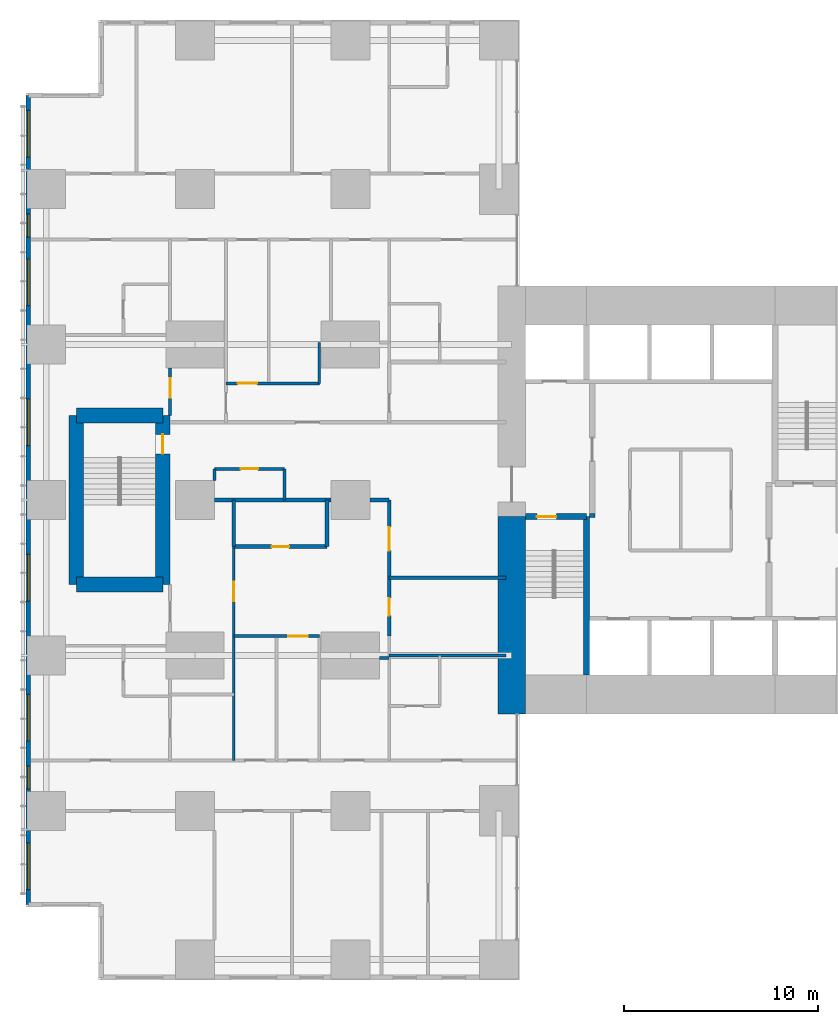
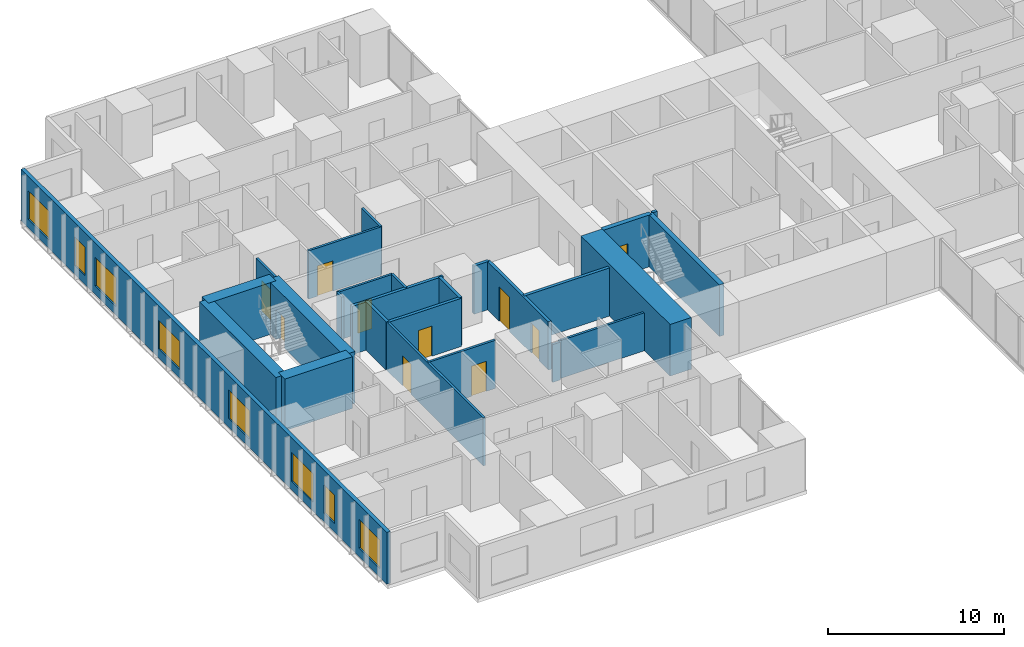
# One storey, part 13 of 20: 26 walls, 10 doors, 8 windows, 18 openings.
"""IFC4 building model written with IfcOpenShell, lengths in metres."""

from ifc_helpers import new_model, si_unit, direction, frame, frame_2d, origin, place, context, subcontext, project, spatial, rectangle, extrude, material, layer, layer_set, type_object, element, fill, save


model = new_model("IFC4")

# Units and contexts
model_context = context("Model", 3, precision=1e-05, world=origin(), true_north=direction((0.0, 1.0)))
body_context = subcontext(model_context, "Body", "Model", "MODEL_VIEW")
ifc_project = project(units=[si_unit("LENGTHUNIT", "METRE"), si_unit("AREAUNIT", "SQUARE_METRE"), si_unit("VOLUMEUNIT", "CUBIC_METRE"), si_unit("PLANEANGLEUNIT", "RADIAN"), si_unit("MASSUNIT", "GRAM", prefix="KILO")], contexts=[model_context])

# Site, building, storey
site_placement = place(None, origin())
site = spatial("IfcSite", under=ifc_project, at=site_placement, CompositionType="ELEMENT")
building_placement = place(site_placement, origin())
building = spatial("IfcBuilding", under=site, at=building_placement, Name="Cleftline Residences", CompositionType="ELEMENT")
storey_placement = place(building_placement, frame((0.0, 0.0, 36.800048828125)))
storey = spatial("IfcBuildingStorey", under=building, at=storey_placement, Name="L08", CompositionType="ELEMENT", Elevation=36.800048828125)

# Walls
ifc_material_1 = material(Name="Concrete B70", Category="concrete")
ifc_layer_1 = layer(ifc_material_1, 1.39990234375)
ifc_layer_set_1 = layer_set([ifc_layer_1], Name="CORE WALL 1400")
wall_type_1 = type_object("IfcWallType", Name="CORE WALL 1400", PredefinedType="SHEAR", material=ifc_layer_set_1)
wall_1_placement = place(storey_placement, frame((24.300048828125, 13.0, 0.0), z_axis=(0.0, 0.0, 1.0), x_axis=(0.0, 1.0, 0.0)))
element("IfcWall", 1, at=wall_1_placement, inside=storey, type_object=wall_type_1, Name="Core wall W0", PredefinedType="SHEAR", context=body_context, shape_type="SweptSolid", body=[
    extrude(rectangle(XDim=10.14990234375, YDim=1.39990234375, at=frame_2d((5.074951171875, 0.0))), origin(), (0.0, 0.0, 1.0), 3.599853515625),
])
ifc_material_2 = material(Name="Concrete B70", Category="concrete")
ifc_layer_2 = layer(ifc_material_2, 0.300048828125)
ifc_layer_set_2 = layer_set([ifc_layer_2], Name="CORE WALL 300")
wall_type_2 = type_object("IfcWallType", Name="CORE WALL 300", PredefinedType="SHEAR", material=ifc_layer_set_2)
wall_2_placement = place(storey_placement, frame((28.14990234375, 15.0, 0.0), z_axis=(0.0, 0.0, 1.0), x_axis=(0.0, 1.0, 0.0)))
element("IfcWall", 2, at=wall_2_placement, inside=storey, type_object=wall_type_2, Name="Core wall SA-E", PredefinedType="SHEAR", context=body_context, shape_type="SweptSolid", body=[
    extrude(rectangle(XDim=8.14990234375, YDim=0.300048828125, at=frame_2d((4.074951171875, 0.0))), origin(), (0.0, 0.0, 1.0), 3.599853515625),
])

# Wall, opening, door
wall_3_placement = place(storey_placement, frame((25.0, 23.14990234375, 0.0), z_axis=(0.0, 0.0, 1.0), x_axis=(1.0, 0.0, 0.0)))
wall_3 = element("IfcWall", 3, at=wall_3_placement, inside=storey, type_object=wall_type_2, Name="Core wall SA-N", PredefinedType="SHEAR", context=body_context, shape_type="SweptSolid", body=[
    extrude(rectangle(XDim=3.14990234375, YDim=0.300048828125, at=frame_2d((1.574951171875, 0.0))), origin(), (0.0, 0.0, 1.0), 3.599853515625),
])
opening_1_placement = place(wall_3_placement, frame((0.60009765625, 0.0, 0.0)))
opening_1 = element("IfcOpeningElement", 4, at=opening_1_placement, cuts=wall_3, Name="Opening D5", PredefinedType="OPENING", context=body_context, shape_type="SweptSolid", body=[
    extrude(rectangle(XDim=1.0, YDim=2.10009765625, at=frame_2d((0.5, 1.050048828125))), frame((0.0, 0.159912109375, 0.0), z_axis=(0.0, -1.0, 0.0), x_axis=(1.0, 0.0, 0.0)), (0.0, 0.0, 1.0), 0.320068359375),
])
ifc_material_3 = material(Name="Steel", Category="steel")
door_type_1 = type_object("IfcDoorType", Name="STAIR DOOR 1000X2100", OperationType="SINGLE_SWING_LEFT", PredefinedType="DOOR", material=ifc_material_3)
door_1_placement = place(opening_1_placement, origin())
door_1 = element("IfcDoor", 5, at=door_1_placement, inside=storey, type_object=door_type_1, Name="Stair A door", OperationType="SINGLE_SWING_RIGHT", OverallHeight=2.10009765625, OverallWidth=1.0, PredefinedType="DOOR", context=body_context, shape_type="SweptSolid", body=[
    extrude(rectangle(XDim=1.0, YDim=2.10009765625, at=frame_2d((0.5, 1.050048828125))), frame((0.0, 0.02490234375, 0.0), z_axis=(0.0, -1.0, 0.0), x_axis=(1.0, 0.0, 0.0)), (0.0, 0.0, 1.0), 0.050048828125),
])
fill(opening_1, door_1)

# Wall, openings, windows
ifc_material_4 = material(Name="Rendered reinforced concrete blockwork", Category="masonry")
ifc_layer_3 = layer(ifc_material_4, 0.25)
ifc_layer_set_3 = layer_set([ifc_layer_3], Name="EXTERNAL WALL 250")
wall_type_3 = type_object("IfcWallType", Name="EXTERNAL WALL 250", PredefinedType="SOLIDWALL", material=ifc_layer_set_3)
wall_4_placement = place(storey_placement, frame((-0.574951171875, 44.824951171875, 0.0), z_axis=(0.0, 0.0, 1.0), x_axis=(0.0, -1.0, 0.0)))
wall_4 = element("IfcWall", 6, at=wall_4_placement, inside=storey, type_object=wall_type_3, Name="External wall", PredefinedType="SOLIDWALL", context=body_context, shape_type="SweptSolid", body=[
    extrude(rectangle(XDim=41.64990234375, YDim=0.25, at=frame_2d((20.824951171875, 0.0))), origin(), (0.0, 0.0, 1.0), 3.599853515625),
])
opening_2_placement = place(wall_4_placement, frame((0.77490234375, 0.0, 0.60009765625)))
opening_2 = element("IfcOpeningElement", 7, at=opening_2_placement, cuts=wall_4, Name="Opening W6", PredefinedType="OPENING", context=body_context, shape_type="SweptSolid", body=[
    extrude(rectangle(XDim=2.39990234375, YDim=2.0, at=frame_2d((1.199951171875, 1.0))), frame((0.0, 0.135009765625, 0.0), z_axis=(0.0, -1.0, 0.0), x_axis=(1.0, 0.0, 0.0)), (0.0, 0.0, 1.0), 0.27001953125),
])
opening_3_placement = place(wall_4_placement, frame((6.10009765625, 0.0, 0.60009765625)))
opening_3 = element("IfcOpeningElement", 8, at=opening_3_placement, cuts=wall_4, Name="Opening W8", PredefinedType="OPENING", context=body_context, shape_type="SweptSolid", body=[
    extrude(rectangle(XDim=1.199951171875, YDim=2.0, at=frame_2d((0.60009765625, 1.0))), frame((0.0, 0.135009765625, 0.0), z_axis=(0.0, -1.0, 0.0), x_axis=(1.0, 0.0, 0.0)), (0.0, 0.0, 1.0), 0.27001953125),
])
opening_4_placement = place(wall_4_placement, frame((8.425048828125, 0.0, 0.60009765625)))
opening_4 = element("IfcOpeningElement", 9, at=opening_4_placement, cuts=wall_4, Name="Opening W6", PredefinedType="OPENING", context=body_context, shape_type="SweptSolid", body=[
    extrude(rectangle(XDim=2.39990234375, YDim=2.0, at=frame_2d((1.199951171875, 1.0))), frame((0.0, 0.135009765625, 0.0), z_axis=(0.0, -1.0, 0.0), x_axis=(1.0, 0.0, 0.0)), (0.0, 0.0, 1.0), 0.27001953125),
])
opening_5_placement = place(wall_4_placement, frame((15.625, 0.0, 0.60009765625)))
opening_5 = element("IfcOpeningElement", 10, at=opening_5_placement, cuts=wall_4, Name="Opening W6", PredefinedType="OPENING", context=body_context, shape_type="SweptSolid", body=[
    extrude(rectangle(XDim=2.39990234375, YDim=2.0, at=frame_2d((1.199951171875, 1.0))), frame((0.0, 0.135009765625, 0.0), z_axis=(0.0, -1.0, 0.0), x_axis=(1.0, 0.0, 0.0)), (0.0, 0.0, 1.0), 0.27001953125),
])
opening_6_placement = place(wall_4_placement, frame((23.625, 0.0, 0.60009765625)))
opening_6 = element("IfcOpeningElement", 11, at=opening_6_placement, cuts=wall_4, Name="Opening W6", PredefinedType="OPENING", context=body_context, shape_type="SweptSolid", body=[
    extrude(rectangle(XDim=2.39990234375, YDim=2.0, at=frame_2d((1.199951171875, 1.0))), frame((0.0, 0.135009765625, 0.0), z_axis=(0.0, -1.0, 0.0), x_axis=(1.0, 0.0, 0.0)), (0.0, 0.0, 1.0), 0.27001953125),
])
opening_7_placement = place(wall_4_placement, frame((30.824951171875, 0.0, 0.60009765625)))
opening_7 = element("IfcOpeningElement", 12, at=opening_7_placement, cuts=wall_4, Name="Opening W6", PredefinedType="OPENING", context=body_context, shape_type="SweptSolid", body=[
    extrude(rectangle(XDim=2.39990234375, YDim=2.0, at=frame_2d((1.199951171875, 1.0))), frame((0.0, 0.135009765625, 0.0), z_axis=(0.0, -1.0, 0.0), x_axis=(1.0, 0.0, 0.0)), (0.0, 0.0, 1.0), 0.27001953125),
])
opening_8_placement = place(wall_4_placement, frame((34.5, 0.0, 0.60009765625)))
opening_8 = element("IfcOpeningElement", 13, at=opening_8_placement, cuts=wall_4, Name="Opening W8", PredefinedType="OPENING", context=body_context, shape_type="SweptSolid", body=[
    extrude(rectangle(XDim=1.199951171875, YDim=2.0, at=frame_2d((0.60009765625, 1.0))), frame((0.0, 0.135009765625, 0.0), z_axis=(0.0, -1.0, 0.0), x_axis=(1.0, 0.0, 0.0)), (0.0, 0.0, 1.0), 0.27001953125),
])
opening_9_placement = place(wall_4_placement, frame((38.47509765625, 0.0, 0.60009765625)))
opening_9 = element("IfcOpeningElement", 14, at=opening_9_placement, cuts=wall_4, Name="Opening W6", PredefinedType="OPENING", context=body_context, shape_type="SweptSolid", body=[
    extrude(rectangle(XDim=2.39990234375, YDim=2.0, at=frame_2d((1.199951171875, 1.0))), frame((0.0, 0.135009765625, 0.0), z_axis=(0.0, -1.0, 0.0), x_axis=(1.0, 0.0, 0.0)), (0.0, 0.0, 1.0), 0.27001953125),
])
ifc_material_5 = material(Name="Aluminium frame, clear double glazing", Category="aluminium")
window_type_1 = type_object("IfcWindowType", Name="WINDOW 1200X2000", PartitioningType="DOUBLE_PANEL_VERTICAL", PredefinedType="WINDOW", material=ifc_material_5)
window_1_placement = place(opening_3_placement, origin())
window_1 = element("IfcWindow", 15, at=window_1_placement, inside=storey, type_object=window_type_1, Name="Window", OverallHeight=2.0, OverallWidth=1.199951171875, PartitioningType="SINGLE_PANEL", PredefinedType="WINDOW", context=body_context, shape_type="SweptSolid", body=[
    extrude(rectangle(XDim=1.199951171875, YDim=2.0, at=frame_2d((0.60009765625, 1.0))), frame((0.0, 0.030029296875, 0.0), z_axis=(0.0, -1.0, 0.0), x_axis=(1.0, 0.0, 0.0)), (0.0, 0.0, 1.0), 0.06005859375),
])
fill(opening_3, window_1)
window_2_placement = place(opening_8_placement, origin())
window_2 = element("IfcWindow", 16, at=window_2_placement, inside=storey, type_object=window_type_1, Name="Window", OverallHeight=2.0, OverallWidth=1.199951171875, PartitioningType="SINGLE_PANEL", PredefinedType="WINDOW", context=body_context, shape_type="SweptSolid", body=[
    extrude(rectangle(XDim=1.199951171875, YDim=2.0, at=frame_2d((0.60009765625, 1.0))), frame((0.0, 0.030029296875, 0.0), z_axis=(0.0, -1.0, 0.0), x_axis=(1.0, 0.0, 0.0)), (0.0, 0.0, 1.0), 0.06005859375),
])
fill(opening_8, window_2)
ifc_material_6 = material(Name="Aluminium frame, clear double glazing", Category="aluminium")
window_type_2 = type_object("IfcWindowType", Name="WINDOW 2400X2000", PartitioningType="DOUBLE_PANEL_VERTICAL", PredefinedType="WINDOW", material=ifc_material_6)
window_3_placement = place(opening_2_placement, origin())
window_3 = element("IfcWindow", 17, at=window_3_placement, inside=storey, type_object=window_type_2, Name="Window", OverallHeight=2.0, OverallWidth=2.39990234375, PartitioningType="SINGLE_PANEL", PredefinedType="WINDOW", context=body_context, shape_type="SweptSolid", body=[
    extrude(rectangle(XDim=2.39990234375, YDim=2.0, at=frame_2d((1.199951171875, 1.0))), frame((0.0, 0.030029296875, 0.0), z_axis=(0.0, -1.0, 0.0), x_axis=(1.0, 0.0, 0.0)), (0.0, 0.0, 1.0), 0.06005859375),
])
fill(opening_2, window_3)
window_4_placement = place(opening_4_placement, origin())
window_4 = element("IfcWindow", 18, at=window_4_placement, inside=storey, type_object=window_type_2, Name="Window", OverallHeight=2.0, OverallWidth=2.39990234375, PartitioningType="SINGLE_PANEL", PredefinedType="WINDOW", context=body_context, shape_type="SweptSolid", body=[
    extrude(rectangle(XDim=2.39990234375, YDim=2.0, at=frame_2d((1.199951171875, 1.0))), frame((0.0, 0.030029296875, 0.0), z_axis=(0.0, -1.0, 0.0), x_axis=(1.0, 0.0, 0.0)), (0.0, 0.0, 1.0), 0.06005859375),
])
fill(opening_4, window_4)
window_5_placement = place(opening_5_placement, origin())
window_5 = element("IfcWindow", 19, at=window_5_placement, inside=storey, type_object=window_type_2, Name="Window", OverallHeight=2.0, OverallWidth=2.39990234375, PartitioningType="SINGLE_PANEL", PredefinedType="WINDOW", context=body_context, shape_type="SweptSolid", body=[
    extrude(rectangle(XDim=2.39990234375, YDim=2.0, at=frame_2d((1.199951171875, 1.0))), frame((0.0, 0.030029296875, 0.0), z_axis=(0.0, -1.0, 0.0), x_axis=(1.0, 0.0, 0.0)), (0.0, 0.0, 1.0), 0.06005859375),
])
fill(opening_5, window_5)
window_6_placement = place(opening_6_placement, origin())
window_6 = element("IfcWindow", 20, at=window_6_placement, inside=storey, type_object=window_type_2, Name="Window", OverallHeight=2.0, OverallWidth=2.39990234375, PartitioningType="SINGLE_PANEL", PredefinedType="WINDOW", context=body_context, shape_type="SweptSolid", body=[
    extrude(rectangle(XDim=2.39990234375, YDim=2.0, at=frame_2d((1.199951171875, 1.0))), frame((0.0, 0.030029296875, 0.0), z_axis=(0.0, -1.0, 0.0), x_axis=(1.0, 0.0, 0.0)), (0.0, 0.0, 1.0), 0.06005859375),
])
fill(opening_6, window_6)
window_7_placement = place(opening_7_placement, origin())
window_7 = element("IfcWindow", 21, at=window_7_placement, inside=storey, type_object=window_type_2, Name="Window", OverallHeight=2.0, OverallWidth=2.39990234375, PartitioningType="SINGLE_PANEL", PredefinedType="WINDOW", context=body_context, shape_type="SweptSolid", body=[
    extrude(rectangle(XDim=2.39990234375, YDim=2.0, at=frame_2d((1.199951171875, 1.0))), frame((0.0, 0.030029296875, 0.0), z_axis=(0.0, -1.0, 0.0), x_axis=(1.0, 0.0, 0.0)), (0.0, 0.0, 1.0), 0.06005859375),
])
fill(opening_7, window_7)
window_8_placement = place(opening_9_placement, origin())
window_8 = element("IfcWindow", 22, at=window_8_placement, inside=storey, type_object=window_type_2, Name="Window", OverallHeight=2.0, OverallWidth=2.39990234375, PartitioningType="SINGLE_PANEL", PredefinedType="WINDOW", context=body_context, shape_type="SweptSolid", body=[
    extrude(rectangle(XDim=2.39990234375, YDim=2.0, at=frame_2d((1.199951171875, 1.0))), frame((0.0, 0.030029296875, 0.0), z_axis=(0.0, -1.0, 0.0), x_axis=(1.0, 0.0, 0.0)), (0.0, 0.0, 1.0), 0.06005859375),
])
fill(opening_9, window_8)

# Wall
ifc_material_7 = material(Name="Concrete blockwork, fire rated", Category="masonry")
ifc_layer_4 = layer(ifc_material_7, 0.199951171875)
ifc_layer_set_4 = layer_set([ifc_layer_4], Name="FIRE WALL 200")
wall_type_4 = type_object("IfcWallType", Name="FIRE WALL 200", PredefinedType="PARTITIONING", material=ifc_layer_set_4)
wall_5_placement = place(storey_placement, frame((18.0, 20.0, 0.0), z_axis=(0.0, 0.0, 1.0), x_axis=(1.0, 0.0, 0.0)))
element("IfcWall", 23, at=wall_5_placement, inside=storey, type_object=wall_type_4, Name="Fire separating wall", PredefinedType="PARTITIONING", context=body_context, shape_type="SweptSolid", body=[
    extrude(rectangle(XDim=6.0, YDim=0.199951171875, at=frame_2d((3.0, 0.0))), origin(), (0.0, 0.0, 1.0), 3.349853515625),
])

# Wall, opening, door
wall_6_placement = place(storey_placement, frame((10.0, 21.60009765625, 0.0), z_axis=(0.0, 0.0, 1.0), x_axis=(1.0, 0.0, 0.0)))
wall_6 = element("IfcWall", 24, at=wall_6_placement, inside=storey, type_object=wall_type_4, Name="Fire separating wall", PredefinedType="PARTITIONING", context=body_context, shape_type="SweptSolid", body=[
    extrude(rectangle(XDim=4.800048828125, YDim=0.199951171875, at=frame_2d((2.39990234375, 0.0))), origin(), (0.0, 0.0, 1.0), 3.349853515625),
])
opening_10_placement = place(wall_6_placement, frame((1.949951171875, 0.0, 0.0)))
opening_10 = element("IfcOpeningElement", 25, at=opening_10_placement, cuts=wall_6, Name="Opening D1F30", PredefinedType="OPENING", context=body_context, shape_type="SweptSolid", body=[
    extrude(rectangle(XDim=0.89990234375, YDim=2.10009765625, at=frame_2d((0.449951171875, 1.050048828125))), frame((0.0, 0.10986328125, 0.0), z_axis=(0.0, -1.0, 0.0), x_axis=(1.0, 0.0, 0.0)), (0.0, 0.0, 1.0), 0.219970703125),
])
ifc_material_8 = material(Name="Timber veneer on solid core", Category="wood")
door_type_2 = type_object("IfcDoorType", Name="DOOR 900X2100 EI 30", OperationType="SINGLE_SWING_LEFT", PredefinedType="DOOR", material=ifc_material_8)
door_2_placement = place(opening_10_placement, origin())
door_2 = element("IfcDoor", 26, at=door_2_placement, inside=storey, type_object=door_type_2, Name="Door to cloakroom wc", OperationType="SINGLE_SWING_LEFT", OverallHeight=2.10009765625, OverallWidth=0.89990234375, PredefinedType="DOOR", context=body_context, shape_type="SweptSolid", body=[
    extrude(rectangle(XDim=0.89990234375, YDim=2.10009765625, at=frame_2d((0.449951171875, 1.050048828125))), frame((0.0, 0.02490234375, 0.0), z_axis=(0.0, -1.0, 0.0), x_axis=(1.0, 0.0, 0.0)), (0.0, 0.0, 1.0), 0.050048828125),
])
fill(opening_10, door_2)

# Walls
wall_7_placement = place(storey_placement, frame((9.0, 24.0, 0.0), z_axis=(0.0, 0.0, 1.0), x_axis=(1.0, 0.0, 0.0)))
element("IfcWall", 27, at=wall_7_placement, inside=storey, type_object=wall_type_4, Name="Fire separating wall", PredefinedType="PARTITIONING", context=body_context, shape_type="SweptSolid", body=[
    extrude(rectangle(XDim=6.0, YDim=0.199951171875, at=frame_2d((3.0, 0.0))), origin(), (0.0, 0.0, 1.0), 3.349853515625),
])
wall_8_placement = place(storey_placement, frame((17.0, 24.0, 0.0), z_axis=(0.0, 0.0, 1.0), x_axis=(1.0, 0.0, 0.0)))
element("IfcWall", 28, at=wall_8_placement, inside=storey, type_object=wall_type_4, Name="Fire separating wall", PredefinedType="PARTITIONING", context=body_context, shape_type="SweptSolid", body=[
    extrude(rectangle(XDim=1.0, YDim=0.199951171875, at=frame_2d((0.5, 0.0))), origin(), (0.0, 0.0, 1.0), 3.349853515625),
])
for number, where, z_axis, x_axis, name in (
    (29, (10.0, 21.60009765625, 0.0), (0.0, 0.0, 1.0), (0.0, 1.0, 0.0), "Fire separating wall"),
    (30, (14.800048828125, 21.60009765625, 0.0), (0.0, 0.0, 1.0), (0.0, 1.0, 0.0), "Fire separating wall"),
):
    element("IfcWall", number, at=place(storey_placement, frame(where, z_axis=z_axis, x_axis=x_axis)), inside=storey, type_object=wall_type_4, Name=name, PredefinedType="PARTITIONING", context=body_context, shape_type="SweptSolid", body=[
        extrude(rectangle(XDim=2.39990234375, YDim=0.199951171875, at=frame_2d((1.199951171875, 0.0))), origin(), (0.0, 0.0, 1.0), 3.349853515625),
    ])

# Wall, openings, doors
wall_9_placement = place(storey_placement, frame((18.0, 17.0, 0.0), z_axis=(0.0, 0.0, 1.0), x_axis=(0.0, 1.0, 0.0)))
wall_9 = element("IfcWall", 31, at=wall_9_placement, inside=storey, type_object=wall_type_4, Name="Fire separating wall", PredefinedType="PARTITIONING", context=body_context, shape_type="SweptSolid", body=[
    extrude(rectangle(XDim=7.0, YDim=0.199951171875, at=frame_2d((3.5, 0.0))), origin(), (0.0, 0.0, 1.0), 3.349853515625),
])
opening_11_placement = place(wall_9_placement, frame((4.39990234375, 0.0, 0.0)))
opening_11 = element("IfcOpeningElement", 32, at=opening_11_placement, cuts=wall_9, Name="Opening D4", PredefinedType="OPENING", context=body_context, shape_type="SweptSolid", body=[
    extrude(rectangle(XDim=1.199951171875, YDim=2.39990234375, at=frame_2d((0.60009765625, 1.199951171875))), frame((0.0, 0.10986328125, 0.0), z_axis=(0.0, -1.0, 0.0), x_axis=(1.0, 0.0, 0.0)), (0.0, 0.0, 1.0), 0.219970703125),
])
opening_12_placement = place(wall_9_placement, frame((1.050048828125, 0.0, 0.0)))
opening_12 = element("IfcOpeningElement", 33, at=opening_12_placement, cuts=wall_9, Name="Opening D1F30", PredefinedType="OPENING", context=body_context, shape_type="SweptSolid", body=[
    extrude(rectangle(XDim=0.89990234375, YDim=2.10009765625, at=frame_2d((0.449951171875, 1.050048828125))), frame((0.0, 0.10986328125, 0.0), z_axis=(0.0, -1.0, 0.0), x_axis=(1.0, 0.0, 0.0)), (0.0, 0.0, 1.0), 0.219970703125),
])
ifc_material_9 = material(Name="Timber veneer on solid core", Category="wood")
door_type_3 = type_object("IfcDoorType", Name="APARTMENT ENTRANCE DOOR 1200X2400", OperationType="SINGLE_SWING_RIGHT", PredefinedType="DOOR", material=ifc_material_9)
door_3_placement = place(opening_11_placement, origin())
door_3 = element("IfcDoor", 34, at=door_3_placement, inside=storey, type_object=door_type_3, Name="Door to residence entrance foyer", OperationType="SINGLE_SWING_LEFT", OverallHeight=2.39990234375, OverallWidth=1.199951171875, PredefinedType="DOOR", context=body_context, shape_type="SweptSolid", body=[
    extrude(rectangle(XDim=1.199951171875, YDim=2.39990234375, at=frame_2d((0.60009765625, 1.199951171875))), frame((0.0, 0.02490234375, 0.0), z_axis=(0.0, -1.0, 0.0), x_axis=(1.0, 0.0, 0.0)), (0.0, 0.0, 1.0), 0.050048828125),
])
fill(opening_11, door_3)
door_4_placement = place(opening_12_placement, origin())
door_4 = element("IfcDoor", 35, at=door_4_placement, inside=storey, type_object=door_type_2, Name="Door to utility room", OperationType="SINGLE_SWING_RIGHT", OverallHeight=2.10009765625, OverallWidth=0.89990234375, PredefinedType="DOOR", context=body_context, shape_type="SweptSolid", body=[
    extrude(rectangle(XDim=0.89990234375, YDim=2.10009765625, at=frame_2d((0.449951171875, 1.050048828125))), frame((0.0, 0.02490234375, 0.0), z_axis=(0.0, -1.0, 0.0), x_axis=(1.0, 0.0, 0.0)), (0.0, 0.0, 1.0), 0.050048828125),
])
fill(opening_12, door_4)

# Walls
wall_10_placement = place(storey_placement, frame((28.300048828125, 23.199951171875, 0.0), z_axis=(0.0, 0.0, 1.0), x_axis=(1.0, 0.0, 0.0)))
element("IfcWall", 36, at=wall_10_placement, inside=storey, type_object=wall_type_4, Name="Fire separating wall", PredefinedType="PARTITIONING", context=body_context, shape_type="SweptSolid", body=[
    extrude(rectangle(XDim=0.300048828125, YDim=0.199951171875, at=frame_2d((0.14990234375, 0.0))), origin(), (0.0, 0.0, 1.0), 3.599853515625),
])
ifc_material_10 = material(Name="Gypsum board on steel studs", Category="steel")
ifc_layer_5 = layer(ifc_material_10, 0.14990234375)
ifc_layer_set_5 = layer_set([ifc_layer_5], Name="PARTITION 150")
wall_type_5 = type_object("IfcWallType", Name="PARTITION 150", PredefinedType="PARTITIONING", material=ifc_layer_set_5)
wall_11_placement = place(storey_placement, frame((17.5, 15.875, 0.0), z_axis=(0.0, 0.0, 1.0), x_axis=(1.0, 0.0, 0.0)))
element("IfcWall", 37, at=wall_11_placement, inside=storey, type_object=wall_type_5, Name="Partition", PredefinedType="PARTITIONING", context=body_context, shape_type="SweptSolid", body=[
    extrude(rectangle(XDim=0.5, YDim=0.14990234375, at=frame_2d((0.25, 0.0))), origin(), (0.0, 0.0, 1.0), 2.634033203125),
])
wall_12_placement = place(storey_placement, frame((18.0, 16.0, 0.0), z_axis=(0.0, 0.0, 1.0), x_axis=(1.0, 0.0, 0.0)))
element("IfcWall", 38, at=wall_12_placement, inside=storey, type_object=wall_type_5, Name="Partition", PredefinedType="PARTITIONING", context=body_context, shape_type="SweptSolid", body=[
    extrude(rectangle(XDim=6.0, YDim=0.14990234375, at=frame_2d((3.0, 0.0))), origin(), (0.0, 0.0, 1.0), 2.634033203125),
])

# Wall, opening, door
wall_13_placement = place(storey_placement, frame((10.0, 17.0, 0.0), z_axis=(0.0, 0.0, 1.0), x_axis=(1.0, 0.0, 0.0)))
wall_13 = element("IfcWall", 39, at=wall_13_placement, inside=storey, type_object=wall_type_5, Name="Partition", PredefinedType="PARTITIONING", context=body_context, shape_type="SweptSolid", body=[
    extrude(rectangle(XDim=4.39990234375, YDim=0.14990234375, at=frame_2d((2.199951171875, 0.0))), origin(), (0.0, 0.0, 1.0), 3.349853515625),
])
opening_13_placement = place(wall_13_placement, frame((2.800048828125, 0.0, 0.0)))
opening_13 = element("IfcOpeningElement", 40, at=opening_13_placement, cuts=wall_13, Name="Opening D2", PredefinedType="OPENING", context=body_context, shape_type="SweptSolid", body=[
    extrude(rectangle(XDim=1.0, YDim=2.10009765625, at=frame_2d((0.5, 1.050048828125))), frame((0.0, 0.0849609375, 0.0), z_axis=(0.0, -1.0, 0.0), x_axis=(1.0, 0.0, 0.0)), (0.0, 0.0, 1.0), 0.169921875),
])
ifc_material_11 = material(Name="Timber veneer on solid core", Category="wood")
door_type_4 = type_object("IfcDoorType", Name="DOOR 1000X2100", OperationType="SINGLE_SWING_LEFT", PredefinedType="DOOR", material=ifc_material_11)
door_5_placement = place(opening_13_placement, origin())
door_5 = element("IfcDoor", 41, at=door_5_placement, inside=storey, type_object=door_type_4, Name="Door to residence passage", OperationType="SINGLE_SWING_LEFT", OverallHeight=2.10009765625, OverallWidth=1.0, PredefinedType="DOOR", context=body_context, shape_type="SweptSolid", body=[
    extrude(rectangle(XDim=1.0, YDim=2.10009765625, at=frame_2d((0.5, 1.050048828125))), frame((0.0, 0.02490234375, 0.0), z_axis=(0.0, -1.0, 0.0), x_axis=(1.0, 0.0, 0.0)), (0.0, 0.0, 1.0), 0.050048828125),
])
fill(opening_13, door_5)

wall_14_placement = place(storey_placement, frame((9.0, 25.60009765625, 0.0), z_axis=(0.0, 0.0, 1.0), x_axis=(1.0, 0.0, 0.0)))
wall_14 = element("IfcWall", 42, at=wall_14_placement, inside=storey, type_object=wall_type_5, Name="Partition", PredefinedType="PARTITIONING", context=body_context, shape_type="SweptSolid", body=[
    extrude(rectangle(XDim=3.60009765625, YDim=0.14990234375, at=frame_2d((1.800048828125, 0.0))), origin(), (0.0, 0.0, 1.0), 3.349853515625),
])
opening_14_placement = place(wall_14_placement, frame((1.35009765625, 0.0, 0.0)))
opening_14 = element("IfcOpeningElement", 43, at=opening_14_placement, cuts=wall_14, Name="Opening D1", PredefinedType="OPENING", context=body_context, shape_type="SweptSolid", body=[
    extrude(rectangle(XDim=0.89990234375, YDim=2.10009765625, at=frame_2d((0.449951171875, 1.050048828125))), frame((0.0, 0.0849609375, 0.0), z_axis=(0.0, -1.0, 0.0), x_axis=(1.0, 0.0, 0.0)), (0.0, 0.0, 1.0), 0.169921875),
])
ifc_material_12 = material(Name="Timber veneer on solid core", Category="wood")
door_type_5 = type_object("IfcDoorType", Name="DOOR 900X2100", OperationType="SINGLE_SWING_LEFT", PredefinedType="DOOR", material=ifc_material_12)
door_6_placement = place(opening_14_placement, origin())
door_6 = element("IfcDoor", 44, at=door_6_placement, inside=storey, type_object=door_type_5, Name="Door to residents' storage room", OperationType="SINGLE_SWING_LEFT", OverallHeight=2.10009765625, OverallWidth=0.89990234375, PredefinedType="DOOR", context=body_context, shape_type="SweptSolid", body=[
    extrude(rectangle(XDim=0.89990234375, YDim=2.10009765625, at=frame_2d((0.449951171875, 1.050048828125))), frame((0.0, 0.02490234375, 0.0), z_axis=(0.0, -1.0, 0.0), x_axis=(1.0, 0.0, 0.0)), (0.0, 0.0, 1.0), 0.050048828125),
])
fill(opening_14, door_6)

wall_15_placement = place(storey_placement, frame((9.60009765625, 30.0, 0.0), z_axis=(0.0, 0.0, 1.0), x_axis=(1.0, 0.0, 0.0)))
wall_15 = element("IfcWall", 45, at=wall_15_placement, inside=storey, type_object=wall_type_5, Name="Partition", PredefinedType="PARTITIONING", context=body_context, shape_type="SweptSolid", body=[
    extrude(rectangle(XDim=4.7998046875, YDim=0.14990234375, at=frame_2d((2.39990234375, 0.0))), origin(), (0.0, 0.0, 1.0), 3.349853515625),
])
opening_15_placement = place(wall_15_placement, frame((0.60009765625, 0.0, 0.0)))
opening_15 = element("IfcOpeningElement", 46, at=opening_15_placement, cuts=wall_15, Name="Opening D2", PredefinedType="OPENING", context=body_context, shape_type="SweptSolid", body=[
    extrude(rectangle(XDim=1.0, YDim=2.10009765625, at=frame_2d((0.5, 1.050048828125))), frame((0.0, 0.0849609375, 0.0), z_axis=(0.0, -1.0, 0.0), x_axis=(1.0, 0.0, 0.0)), (0.0, 0.0, 1.0), 0.169921875),
])
door_7_placement = place(opening_15_placement, origin())
door_7 = element("IfcDoor", 47, at=door_7_placement, inside=storey, type_object=door_type_4, Name="Door to residence passage", OperationType="SINGLE_SWING_RIGHT", OverallHeight=2.10009765625, OverallWidth=1.0, PredefinedType="DOOR", context=body_context, shape_type="SweptSolid", body=[
    extrude(rectangle(XDim=1.0, YDim=2.10009765625, at=frame_2d((0.5, 1.050048828125))), frame((0.0, 0.02490234375, 0.0), z_axis=(0.0, -1.0, 0.0), x_axis=(1.0, 0.0, 0.0)), (0.0, 0.0, 1.0), 0.050048828125),
])
fill(opening_15, door_7)

wall_16_placement = place(storey_placement, frame((6.72509765625, 28.35009765625, 0.0), z_axis=(0.0, 0.0, 1.0), x_axis=(0.0, 1.0, 0.0)))
wall_16 = element("IfcWall", 48, at=wall_16_placement, inside=storey, type_object=wall_type_5, Name="Partition", PredefinedType="PARTITIONING", context=body_context, shape_type="SweptSolid", body=[
    extrude(rectangle(XDim=2.449951171875, YDim=0.14990234375, at=frame_2d((1.22509765625, 0.0))), origin(), (0.0, 0.0, 1.0), 3.349853515625),
])
opening_16_placement = place(wall_16_placement, frame((0.91259765625, 0.0, 0.0)))
opening_16 = element("IfcOpeningElement", 49, at=opening_16_placement, cuts=wall_16, Name="Opening D2", PredefinedType="OPENING", context=body_context, shape_type="SweptSolid", body=[
    extrude(rectangle(XDim=1.0, YDim=2.10009765625, at=frame_2d((0.5, 1.050048828125))), frame((0.0, 0.0849609375, 0.0), z_axis=(0.0, -1.0, 0.0), x_axis=(1.0, 0.0, 0.0)), (0.0, 0.0, 1.0), 0.169921875),
])
door_8_placement = place(opening_16_placement, origin())
door_8 = element("IfcDoor", 50, at=door_8_placement, inside=storey, type_object=door_type_4, Name="Door to staff bedroom", OperationType="SINGLE_SWING_LEFT", OverallHeight=2.10009765625, OverallWidth=1.0, PredefinedType="DOOR", context=body_context, shape_type="SweptSolid", body=[
    extrude(rectangle(XDim=1.0, YDim=2.10009765625, at=frame_2d((0.5, 1.050048828125))), frame((0.0, 0.02490234375, 0.0), z_axis=(0.0, -1.0, 0.0), x_axis=(1.0, 0.0, 0.0)), (0.0, 0.0, 1.0), 0.050048828125),
])
fill(opening_16, door_8)

# Wall
wall_17_placement = place(storey_placement, frame((9.0, 25.0, 0.0), z_axis=(0.0, 0.0, 1.0), x_axis=(0.0, 1.0, 0.0)))
element("IfcWall", 51, at=wall_17_placement, inside=storey, type_object=wall_type_5, Name="Partition", PredefinedType="PARTITIONING", context=body_context, shape_type="SweptSolid", body=[
    extrude(rectangle(XDim=0.60009765625, YDim=0.14990234375, at=frame_2d((0.300048828125, 0.0))), origin(), (0.0, 0.0, 1.0), 3.349853515625),
])

# Wall, opening, door
wall_18_placement = place(storey_placement, frame((10.0, 10.60009765625, 0.0), z_axis=(0.0, 0.0, 1.0), x_axis=(0.0, 1.0, 0.0)))
wall_18 = element("IfcWall", 52, at=wall_18_placement, inside=storey, type_object=wall_type_5, Name="Partition", PredefinedType="PARTITIONING", context=body_context, shape_type="SweptSolid", body=[
    extrude(rectangle(XDim=11.0, YDim=0.14990234375, at=frame_2d((5.5, 0.0))), origin(), (0.0, 0.0, 1.0), 3.349853515625),
])
opening_17_placement = place(wall_18_placement, frame((8.199951171875, 0.0, 0.0)))
opening_17 = element("IfcOpeningElement", 53, at=opening_17_placement, cuts=wall_18, Name="Opening D2F30", PredefinedType="OPENING", context=body_context, shape_type="SweptSolid", body=[
    extrude(rectangle(XDim=1.0, YDim=2.10009765625, at=frame_2d((0.5, 1.050048828125))), frame((0.0, 0.0849609375, 0.0), z_axis=(0.0, -1.0, 0.0), x_axis=(1.0, 0.0, 0.0)), (0.0, 0.0, 1.0), 0.169921875),
])
ifc_material_13 = material(Name="Timber veneer on solid core", Category="wood")
door_type_6 = type_object("IfcDoorType", Name="DOOR 1000X2100 EI 30", OperationType="SINGLE_SWING_LEFT", PredefinedType="DOOR", material=ifc_material_13)
door_9_placement = place(opening_17_placement, origin())
door_9 = element("IfcDoor", 54, at=door_9_placement, inside=storey, type_object=door_type_6, Name="Door to residence lobby", OperationType="SINGLE_SWING_LEFT", OverallHeight=2.10009765625, OverallWidth=1.0, PredefinedType="DOOR", context=body_context, shape_type="SweptSolid", body=[
    extrude(rectangle(XDim=1.0, YDim=2.10009765625, at=frame_2d((0.5, 1.050048828125))), frame((0.0, 0.02490234375, 0.0), z_axis=(0.0, -1.0, 0.0), x_axis=(1.0, 0.0, 0.0)), (0.0, 0.0, 1.0), 0.050048828125),
])
fill(opening_17, door_9)

# Walls
wall_19_placement = place(storey_placement, frame((12.60009765625, 24.0, 0.0), z_axis=(0.0, 0.0, 1.0), x_axis=(0.0, 1.0, 0.0)))
element("IfcWall", 55, at=wall_19_placement, inside=storey, type_object=wall_type_5, Name="Partition", PredefinedType="PARTITIONING", context=body_context, shape_type="SweptSolid", body=[
    extrude(rectangle(XDim=1.60009765625, YDim=0.14990234375, at=frame_2d((0.800048828125, 0.0))), origin(), (0.0, 0.0, 1.0), 3.349853515625),
])
wall_20_placement = place(storey_placement, frame((14.39990234375, 30.0, 0.0), z_axis=(0.0, 0.0, 1.0), x_axis=(0.0, 1.0, 0.0)))
element("IfcWall", 56, at=wall_20_placement, inside=storey, type_object=wall_type_5, Name="Partition", PredefinedType="PARTITIONING", context=body_context, shape_type="SweptSolid", body=[
    extrude(rectangle(XDim=2.10009765625, YDim=0.14990234375, at=frame_2d((1.050048828125, 0.0))), origin(), (0.0, 0.0, 1.0), 3.349853515625),
])
ifc_material_14 = material(Name="Concrete B70", Category="concrete")
ifc_layer_6 = layer(ifc_material_14, 0.75)
ifc_layer_set_6 = layer_set([ifc_layer_6], Name="SHEAR WALL 750")
wall_type_6 = type_object("IfcWallType", Name="SHEAR WALL 750", PredefinedType="SHEAR", material=ifc_layer_set_6)
wall_21_placement = place(storey_placement, frame((1.89990234375, 19.64990234375, 0.0), z_axis=(0.0, 0.0, 1.0), x_axis=(1.0, 0.0, 0.0)))
element("IfcWall", 57, at=wall_21_placement, inside=storey, type_object=wall_type_6, Name="Wing shear wall", PredefinedType="SHEAR", context=body_context, shape_type="SweptSolid", body=[
    extrude(rectangle(XDim=4.4501953125, YDim=0.75, at=frame_2d((2.22509765625, 0.0))), origin(), (0.0, 0.0, 1.0), 3.599853515625),
])

# Wall, opening, door
wall_22_placement = place(storey_placement, frame((6.35009765625, 19.64990234375, 0.0), z_axis=(0.0, 0.0, 1.0), x_axis=(0.0, 1.0, 0.0)))
wall_22 = element("IfcWall", 58, at=wall_22_placement, inside=storey, type_object=wall_type_6, Name="Wing shear wall", PredefinedType="SHEAR", context=body_context, shape_type="SweptSolid", body=[
    extrude(rectangle(XDim=8.7001953125, YDim=0.75, at=frame_2d((4.35009765625, 0.0))), origin(), (0.0, 0.0, 1.0), 3.599853515625),
])
opening_18_placement = place(wall_22_placement, frame((6.72509765625, 0.0, 0.0)))
opening_18 = element("IfcOpeningElement", 59, at=opening_18_placement, cuts=wall_22, Name="Opening D5", PredefinedType="OPENING", context=body_context, shape_type="SweptSolid", body=[
    extrude(rectangle(XDim=1.0, YDim=2.10009765625, at=frame_2d((0.5, 1.050048828125))), frame((0.0, 0.385009765625, 0.0), z_axis=(0.0, -1.0, 0.0), x_axis=(1.0, 0.0, 0.0)), (0.0, 0.0, 1.0), 0.77001953125),
])
door_10_placement = place(opening_18_placement, origin())
door_10 = element("IfcDoor", 60, at=door_10_placement, inside=storey, type_object=door_type_1, Name="Stair W door", OperationType="SINGLE_SWING_LEFT", OverallHeight=2.10009765625, OverallWidth=1.0, PredefinedType="DOOR", context=body_context, shape_type="SweptSolid", body=[
    extrude(rectangle(XDim=1.0, YDim=2.10009765625, at=frame_2d((0.5, 1.050048828125))), frame((0.0, 0.02490234375, 0.0), z_axis=(0.0, -1.0, 0.0), x_axis=(1.0, 0.0, 0.0)), (0.0, 0.0, 1.0), 0.050048828125),
])
fill(opening_18, door_10)

# Walls
wall_23_placement = place(storey_placement, frame((6.35009765625, 28.35009765625, 0.0), z_axis=(0.0, 0.0, 1.0), x_axis=(-1.0, 0.0, 0.0)))
element("IfcWall", 61, at=wall_23_placement, inside=storey, type_object=wall_type_6, Name="Wing shear wall", PredefinedType="SHEAR", context=body_context, shape_type="SweptSolid", body=[
    extrude(rectangle(XDim=4.4501953125, YDim=0.75, at=frame_2d((2.22509765625, 0.0))), origin(), (0.0, 0.0, 1.0), 3.599853515625),
])
wall_24_placement = place(storey_placement, frame((1.89990234375, 28.35009765625, 0.0), z_axis=(0.0, 0.0, 1.0), x_axis=(0.0, -1.0, 0.0)))
element("IfcWall", 62, at=wall_24_placement, inside=storey, type_object=wall_type_6, Name="Wing shear wall", PredefinedType="SHEAR", context=body_context, shape_type="SweptSolid", body=[
    extrude(rectangle(XDim=8.7001953125, YDim=0.75, at=frame_2d((4.35009765625, 0.0))), origin(), (0.0, 0.0, 1.0), 3.599853515625),
])

save(model, "model.ifc")
